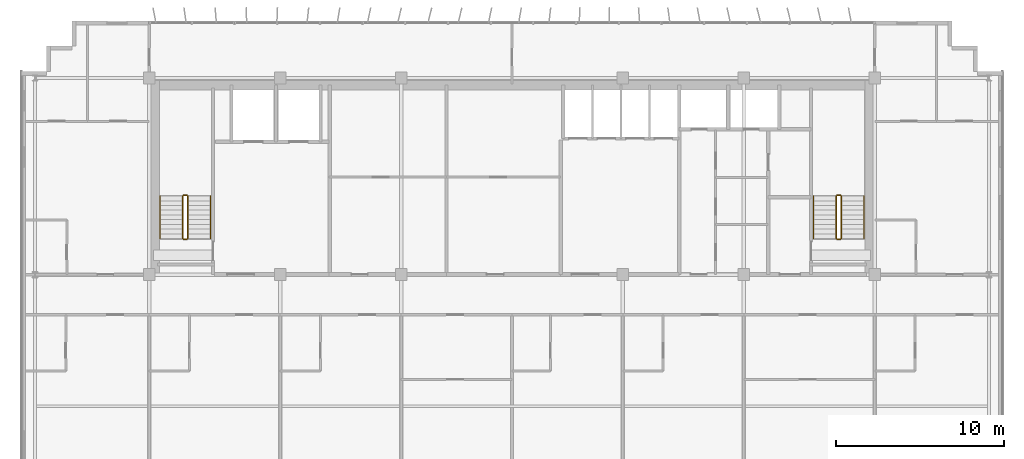
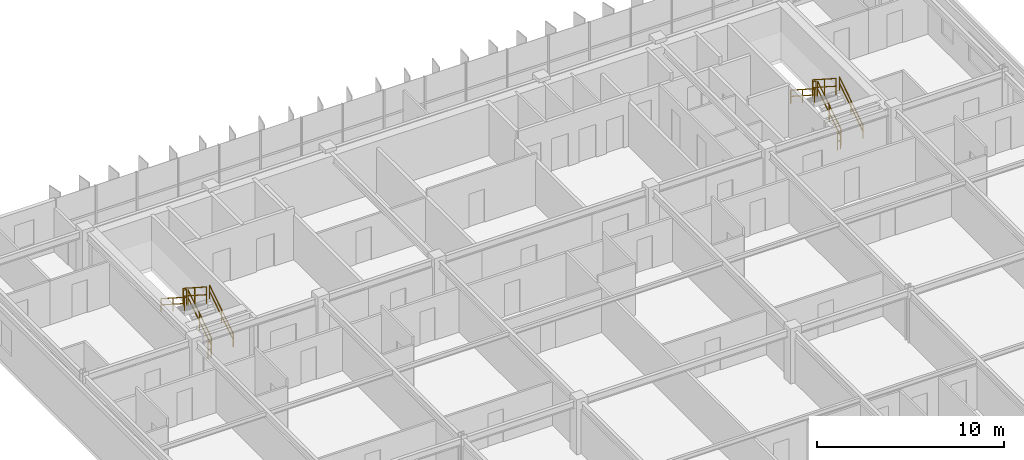
# One storey, part 23 of 23: 12 railings.
"""IFC4 building model written with IfcOpenShell, lengths in metres."""

from ifc_helpers import new_model, si_unit, direction, frame, origin, origin_2d, place, context, subcontext, project, spatial, rectangle, extrude, material, type_object, element, save


model = new_model("IFC4")

# Units and contexts
model_context = context("Model", 3, precision=1e-05, world=origin(), true_north=direction((0.0, 1.0)))
body_context = subcontext(model_context, "Body", "Model", "MODEL_VIEW")
ifc_project = project(units=[si_unit("LENGTHUNIT", "METRE"), si_unit("AREAUNIT", "SQUARE_METRE"), si_unit("VOLUMEUNIT", "CUBIC_METRE"), si_unit("PLANEANGLEUNIT", "RADIAN"), si_unit("MASSUNIT", "GRAM", prefix="KILO")], contexts=[model_context])

# Site, building, storey
site_placement = place(None, origin())
site = spatial("IfcSite", under=ifc_project, at=site_placement, CompositionType="ELEMENT")
building_placement = place(site_placement, origin())
building = spatial("IfcBuilding", under=site, at=building_placement, Name="Trelvane Seafront Commons", CompositionType="ELEMENT")
storey_placement = place(building_placement, frame((0.0, 0.0, 222.89990234375)))
storey = spatial("IfcBuildingStorey", under=building, at=storey_placement, Name="L58", CompositionType="ELEMENT", Elevation=222.89990234375)

# Railings
ifc_material = material(Name="Stainless steel balustrade", Category="steel")
railing_type_1 = type_object("IfcRailingType", Name="ARCH-SRL-GUARD", PredefinedType="GUARDRAIL", material=ifc_material)
railing_1_placement = place(storey_placement, frame((17.89990234375, 35.550048828125, 0.18017578125)))
element("IfcRailing", 1, at=railing_1_placement, inside=storey, type_object=railing_type_1, Name="L58 ST-1 stair guard 1", PredefinedType="GUARDRAIL", context=body_context, shape_type="SweptSolid", body=[
    extrude(rectangle(XDim=0.048095703125, YDim=0.048095703125, at=origin_2d()), frame((0.0, 0.0, 1.076171875), z_axis=(0.0, 0.841199657755, 0.540724639528), x_axis=(-1.0, 0.0, 0.0)), (0.0, 0.0, 1.0), 2.995849609375),
    extrude(rectangle(XDim=0.048095703125, YDim=0.048095703125, at=origin_2d()), frame((0.0, 0.0, 0.572021484375), z_axis=(0.0, 0.841199657755, 0.540724639528), x_axis=(-1.0, 0.0, 0.0)), (0.0, 0.0, 1.0), 2.995849609375),
    extrude(rectangle(XDim=0.0419921875, YDim=0.0419921875, at=origin_2d()), origin(), (0.0, 0.0, 1.0), 1.076171875),
    extrude(rectangle(XDim=0.0419921875, YDim=0.0419921875, at=origin_2d()), frame((0.0, 1.260009765625, 0.81005859375)), (0.0, 0.0, 1.0), 1.076171875),
    extrude(rectangle(XDim=0.0419921875, YDim=0.0419921875, at=origin_2d()), frame((0.0, 2.52001953125, 1.619873046875)), (0.0, 0.0, 1.0), 1.076171875),
])
railing_2_placement = place(storey_placement, frame((17.85009765625, 38.1201171875, 1.800048828125)))
element("IfcRailing", 2, at=railing_2_placement, inside=storey, type_object=railing_type_1, Name="L58 ST-1 stair guard 2", PredefinedType="GUARDRAIL", context=body_context, shape_type="SweptSolid", body=[
    extrude(rectangle(XDim=0.048095703125, YDim=0.048095703125, at=origin_2d()), frame((0.0, 0.0, 1.076171875), z_axis=(-1.0, 0.0, 0.0), x_axis=(0.0, -1.0, 0.0)), (0.0, 0.0, 1.0), 0.2001953125),
    extrude(rectangle(XDim=0.048095703125, YDim=0.048095703125, at=origin_2d()), frame((0.0, 0.0, 0.572021484375), z_axis=(-1.0, 0.0, 0.0), x_axis=(0.0, -1.0, 0.0)), (0.0, 0.0, 1.0), 0.2001953125),
    extrude(rectangle(XDim=0.0419921875, YDim=0.0419921875, at=origin_2d()), origin(), (0.0, 0.0, 1.0), 1.076171875),
    extrude(rectangle(XDim=0.0419921875, YDim=0.0419921875, at=origin_2d()), frame((-0.2001953125, 0.0, 0.0)), (0.0, 0.0, 1.0), 1.076171875),
])
railing_3_placement = place(storey_placement, frame((17.60009765625, 38.070068359375, 1.97998046875)))
element("IfcRailing", 3, at=railing_3_placement, inside=storey, type_object=railing_type_1, Name="L58 ST-1 stair guard 3", PredefinedType="GUARDRAIL", context=body_context, shape_type="SweptSolid", body=[
    extrude(rectangle(XDim=0.048095703125, YDim=0.048095703125, at=origin_2d()), frame((0.0, 0.0, 1.076171875), z_axis=(0.0, -0.841162588446, 0.540782303519), x_axis=(1.0, 0.0, 0.0)), (0.0, 0.0, 1.0), 2.995849609375),
    extrude(rectangle(XDim=0.048095703125, YDim=0.048095703125, at=origin_2d()), frame((0.0, 0.0, 0.572021484375), z_axis=(0.0, -0.841162588446, 0.540782303519), x_axis=(1.0, 0.0, 0.0)), (0.0, 0.0, 1.0), 2.995849609375),
    extrude(rectangle(XDim=0.0419921875, YDim=0.0419921875, at=origin_2d()), origin(), (0.0, 0.0, 1.0), 1.076171875),
    extrude(rectangle(XDim=0.0419921875, YDim=0.0419921875, at=origin_2d()), frame((0.0, -1.260009765625, 0.81005859375)), (0.0, 0.0, 1.0), 1.076171875),
    extrude(rectangle(XDim=0.0419921875, YDim=0.0419921875, at=origin_2d()), frame((0.0, -2.52001953125, 1.6201171875)), (0.0, 0.0, 1.0), 1.076171875),
])
railing_4_placement = place(storey_placement, frame((17.85009765625, 35.5, 0.0)))
element("IfcRailing", 4, at=railing_4_placement, inside=storey, type_object=railing_type_1, Name="L58 ST-1 stair guard 4", PredefinedType="GUARDRAIL", context=body_context, shape_type="SweptSolid", body=[
    extrude(rectangle(XDim=0.048095703125, YDim=0.048095703125, at=origin_2d()), frame((0.0, 0.0, 1.076171875), z_axis=(-1.0, 0.0, 0.0), x_axis=(0.0, -1.0, 0.0)), (0.0, 0.0, 1.0), 0.2001953125),
    extrude(rectangle(XDim=0.048095703125, YDim=0.048095703125, at=origin_2d()), frame((0.0, 0.0, 0.572021484375), z_axis=(-1.0, 0.0, 0.0), x_axis=(0.0, -1.0, 0.0)), (0.0, 0.0, 1.0), 0.2001953125),
    extrude(rectangle(XDim=0.0419921875, YDim=0.0419921875, at=origin_2d()), origin(), (0.0, 0.0, 1.0), 1.076171875),
    extrude(rectangle(XDim=0.0419921875, YDim=0.0419921875, at=origin_2d()), frame((-0.2001953125, 0.0, 0.0)), (0.0, 0.0, 1.0), 1.076171875),
])
railing_5_placement = place(storey_placement, frame((56.800048828125, 35.550048828125, 0.18017578125)))
element("IfcRailing", 5, at=railing_5_placement, inside=storey, type_object=railing_type_1, Name="L58 ST-2 stair guard 1", PredefinedType="GUARDRAIL", context=body_context, shape_type="SweptSolid", body=[
    extrude(rectangle(XDim=0.048095703125, YDim=0.048095703125, at=origin_2d()), frame((0.0, 0.0, 1.076171875), z_axis=(0.0, 0.841199657755, 0.540724639528), x_axis=(-1.0, 0.0, 0.0)), (0.0, 0.0, 1.0), 2.995849609375),
    extrude(rectangle(XDim=0.048095703125, YDim=0.048095703125, at=origin_2d()), frame((0.0, 0.0, 0.572021484375), z_axis=(0.0, 0.841199657755, 0.540724639528), x_axis=(-1.0, 0.0, 0.0)), (0.0, 0.0, 1.0), 2.995849609375),
    extrude(rectangle(XDim=0.0419921875, YDim=0.0419921875, at=origin_2d()), origin(), (0.0, 0.0, 1.0), 1.076171875),
    extrude(rectangle(XDim=0.0419921875, YDim=0.0419921875, at=origin_2d()), frame((0.0, 1.260009765625, 0.81005859375)), (0.0, 0.0, 1.0), 1.076171875),
    extrude(rectangle(XDim=0.0419921875, YDim=0.0419921875, at=origin_2d()), frame((0.0, 2.52001953125, 1.619873046875)), (0.0, 0.0, 1.0), 1.076171875),
])
railing_6_placement = place(storey_placement, frame((56.75, 38.1201171875, 1.800048828125)))
element("IfcRailing", 6, at=railing_6_placement, inside=storey, type_object=railing_type_1, Name="L58 ST-2 stair guard 2", PredefinedType="GUARDRAIL", context=body_context, shape_type="SweptSolid", body=[
    extrude(rectangle(XDim=0.048095703125, YDim=0.048095703125, at=origin_2d()), frame((0.0, 0.0, 1.076171875), z_axis=(-1.0, 0.0, 0.0), x_axis=(0.0, -1.0, 0.0)), (0.0, 0.0, 1.0), 0.199951171875),
    extrude(rectangle(XDim=0.048095703125, YDim=0.048095703125, at=origin_2d()), frame((0.0, 0.0, 0.572021484375), z_axis=(-1.0, 0.0, 0.0), x_axis=(0.0, -1.0, 0.0)), (0.0, 0.0, 1.0), 0.199951171875),
    extrude(rectangle(XDim=0.0419921875, YDim=0.0419921875, at=origin_2d()), origin(), (0.0, 0.0, 1.0), 1.076171875),
    extrude(rectangle(XDim=0.0419921875, YDim=0.0419921875, at=origin_2d()), frame((-0.199951171875, 0.0, 0.0)), (0.0, 0.0, 1.0), 1.076171875),
])
railing_7_placement = place(storey_placement, frame((56.5, 38.070068359375, 1.97998046875)))
element("IfcRailing", 7, at=railing_7_placement, inside=storey, type_object=railing_type_1, Name="L58 ST-2 stair guard 3", PredefinedType="GUARDRAIL", context=body_context, shape_type="SweptSolid", body=[
    extrude(rectangle(XDim=0.048095703125, YDim=0.048095703125, at=origin_2d()), frame((0.0, 0.0, 1.076171875), z_axis=(0.0, -0.841162588446, 0.540782303519), x_axis=(1.0, 0.0, 0.0)), (0.0, 0.0, 1.0), 2.995849609375),
    extrude(rectangle(XDim=0.048095703125, YDim=0.048095703125, at=origin_2d()), frame((0.0, 0.0, 0.572021484375), z_axis=(0.0, -0.841162588446, 0.540782303519), x_axis=(1.0, 0.0, 0.0)), (0.0, 0.0, 1.0), 2.995849609375),
    extrude(rectangle(XDim=0.0419921875, YDim=0.0419921875, at=origin_2d()), origin(), (0.0, 0.0, 1.0), 1.076171875),
    extrude(rectangle(XDim=0.0419921875, YDim=0.0419921875, at=origin_2d()), frame((0.0, -1.260009765625, 0.81005859375)), (0.0, 0.0, 1.0), 1.076171875),
    extrude(rectangle(XDim=0.0419921875, YDim=0.0419921875, at=origin_2d()), frame((0.0, -2.52001953125, 1.6201171875)), (0.0, 0.0, 1.0), 1.076171875),
])
railing_8_placement = place(storey_placement, frame((56.75, 35.5, 0.0)))
element("IfcRailing", 8, at=railing_8_placement, inside=storey, type_object=railing_type_1, Name="L58 ST-2 stair guard 4", PredefinedType="GUARDRAIL", context=body_context, shape_type="SweptSolid", body=[
    extrude(rectangle(XDim=0.048095703125, YDim=0.048095703125, at=origin_2d()), frame((0.0, 0.0, 1.076171875), z_axis=(-1.0, 0.0, 0.0), x_axis=(0.0, -1.0, 0.0)), (0.0, 0.0, 1.0), 0.199951171875),
    extrude(rectangle(XDim=0.048095703125, YDim=0.048095703125, at=origin_2d()), frame((0.0, 0.0, 0.572021484375), z_axis=(-1.0, 0.0, 0.0), x_axis=(0.0, -1.0, 0.0)), (0.0, 0.0, 1.0), 0.199951171875),
    extrude(rectangle(XDim=0.0419921875, YDim=0.0419921875, at=origin_2d()), origin(), (0.0, 0.0, 1.0), 1.076171875),
    extrude(rectangle(XDim=0.0419921875, YDim=0.0419921875, at=origin_2d()), frame((-0.199951171875, 0.0, 0.0)), (0.0, 0.0, 1.0), 1.076171875),
])
railing_type_2 = type_object("IfcRailingType", Name="ARCH-SRL-HAND", PredefinedType="HANDRAIL", material=ifc_material)
railing_9_placement = place(storey_placement, frame((19.25, 35.550048828125, 0.18017578125)))
element("IfcRailing", 9, at=railing_9_placement, inside=storey, type_object=railing_type_2, Name="L58 ST-1 stair handrail 1", PredefinedType="HANDRAIL", context=body_context, shape_type="SweptSolid", body=[
    extrude(rectangle(XDim=0.048095703125, YDim=0.048095703125, at=origin_2d()), frame((0.0, 0.0, 0.8759765625), z_axis=(0.0, 0.841199657755, 0.540724639528), x_axis=(-1.0, 0.0, 0.0)), (0.0, 0.0, 1.0), 2.995849609375),
    extrude(rectangle(XDim=0.048095703125, YDim=0.048095703125, at=origin_2d()), frame((0.0, 0.0, 0.468017578125), z_axis=(0.0, 0.841199657755, 0.540724639528), x_axis=(-1.0, 0.0, 0.0)), (0.0, 0.0, 1.0), 2.995849609375),
    extrude(rectangle(XDim=0.0419921875, YDim=0.0419921875, at=origin_2d()), origin(), (0.0, 0.0, 1.0), 0.8759765625),
    extrude(rectangle(XDim=0.0419921875, YDim=0.0419921875, at=origin_2d()), frame((0.0, 1.260009765625, 0.81005859375)), (0.0, 0.0, 1.0), 0.8759765625),
    extrude(rectangle(XDim=0.0419921875, YDim=0.0419921875, at=origin_2d()), frame((0.0, 2.52001953125, 1.619873046875)), (0.0, 0.0, 1.0), 0.8759765625),
])
railing_10_placement = place(storey_placement, frame((16.25, 38.070068359375, 1.97998046875)))
element("IfcRailing", 10, at=railing_10_placement, inside=storey, type_object=railing_type_2, Name="L58 ST-1 stair handrail 2", PredefinedType="HANDRAIL", context=body_context, shape_type="SweptSolid", body=[
    extrude(rectangle(XDim=0.048095703125, YDim=0.048095703125, at=origin_2d()), frame((0.0, 0.0, 0.8759765625), z_axis=(0.0, -0.841162588446, 0.540782303519), x_axis=(1.0, 0.0, 0.0)), (0.0, 0.0, 1.0), 2.995849609375),
    extrude(rectangle(XDim=0.048095703125, YDim=0.048095703125, at=origin_2d()), frame((0.0, 0.0, 0.468017578125), z_axis=(0.0, -0.841162588446, 0.540782303519), x_axis=(1.0, 0.0, 0.0)), (0.0, 0.0, 1.0), 2.995849609375),
    extrude(rectangle(XDim=0.0419921875, YDim=0.0419921875, at=origin_2d()), origin(), (0.0, 0.0, 1.0), 0.8759765625),
    extrude(rectangle(XDim=0.0419921875, YDim=0.0419921875, at=origin_2d()), frame((0.0, -1.260009765625, 0.81005859375)), (0.0, 0.0, 1.0), 0.8759765625),
    extrude(rectangle(XDim=0.0419921875, YDim=0.0419921875, at=origin_2d()), frame((0.0, -2.52001953125, 1.6201171875)), (0.0, 0.0, 1.0), 0.8759765625),
])
railing_11_placement = place(storey_placement, frame((58.14990234375, 35.550048828125, 0.18017578125)))
element("IfcRailing", 11, at=railing_11_placement, inside=storey, type_object=railing_type_2, Name="L58 ST-2 stair handrail 1", PredefinedType="HANDRAIL", context=body_context, shape_type="SweptSolid", body=[
    extrude(rectangle(XDim=0.048095703125, YDim=0.048095703125, at=origin_2d()), frame((0.0, 0.0, 0.8759765625), z_axis=(0.0, 0.841199657755, 0.540724639528), x_axis=(-1.0, 0.0, 0.0)), (0.0, 0.0, 1.0), 2.995849609375),
    extrude(rectangle(XDim=0.048095703125, YDim=0.048095703125, at=origin_2d()), frame((0.0, 0.0, 0.468017578125), z_axis=(0.0, 0.841199657755, 0.540724639528), x_axis=(-1.0, 0.0, 0.0)), (0.0, 0.0, 1.0), 2.995849609375),
    extrude(rectangle(XDim=0.0419921875, YDim=0.0419921875, at=origin_2d()), origin(), (0.0, 0.0, 1.0), 0.8759765625),
    extrude(rectangle(XDim=0.0419921875, YDim=0.0419921875, at=origin_2d()), frame((0.0, 1.260009765625, 0.81005859375)), (0.0, 0.0, 1.0), 0.8759765625),
    extrude(rectangle(XDim=0.0419921875, YDim=0.0419921875, at=origin_2d()), frame((0.0, 2.52001953125, 1.619873046875)), (0.0, 0.0, 1.0), 0.8759765625),
])
railing_12_placement = place(storey_placement, frame((55.14990234375, 38.070068359375, 1.97998046875)))
element("IfcRailing", 12, at=railing_12_placement, inside=storey, type_object=railing_type_2, Name="L58 ST-2 stair handrail 2", PredefinedType="HANDRAIL", context=body_context, shape_type="SweptSolid", body=[
    extrude(rectangle(XDim=0.048095703125, YDim=0.048095703125, at=origin_2d()), frame((0.0, 0.0, 0.8759765625), z_axis=(0.0, -0.841162588446, 0.540782303519), x_axis=(1.0, 0.0, 0.0)), (0.0, 0.0, 1.0), 2.995849609375),
    extrude(rectangle(XDim=0.048095703125, YDim=0.048095703125, at=origin_2d()), frame((0.0, 0.0, 0.468017578125), z_axis=(0.0, -0.841162588446, 0.540782303519), x_axis=(1.0, 0.0, 0.0)), (0.0, 0.0, 1.0), 2.995849609375),
    extrude(rectangle(XDim=0.0419921875, YDim=0.0419921875, at=origin_2d()), origin(), (0.0, 0.0, 1.0), 0.8759765625),
    extrude(rectangle(XDim=0.0419921875, YDim=0.0419921875, at=origin_2d()), frame((0.0, -1.260009765625, 0.81005859375)), (0.0, 0.0, 1.0), 0.8759765625),
    extrude(rectangle(XDim=0.0419921875, YDim=0.0419921875, at=origin_2d()), frame((0.0, -2.52001953125, 1.6201171875)), (0.0, 0.0, 1.0), 0.8759765625),
])

save(model, "model.ifc")
